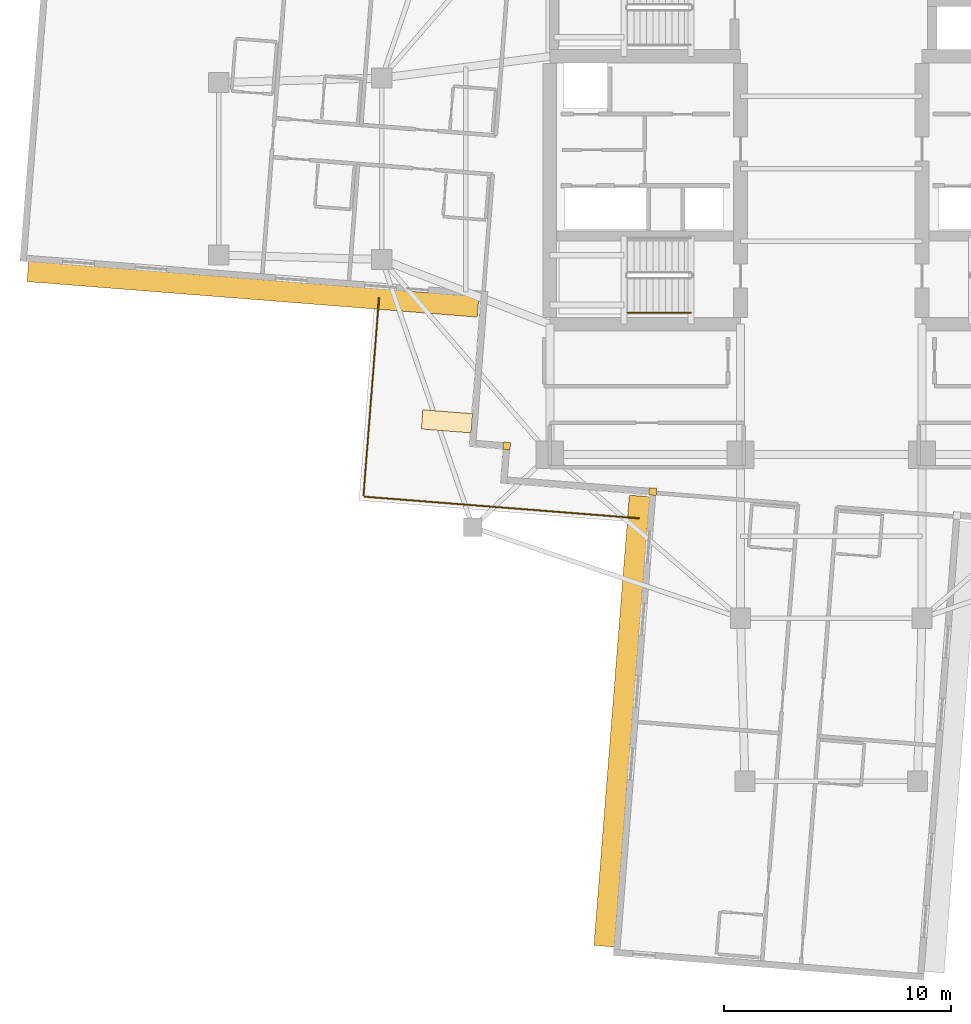
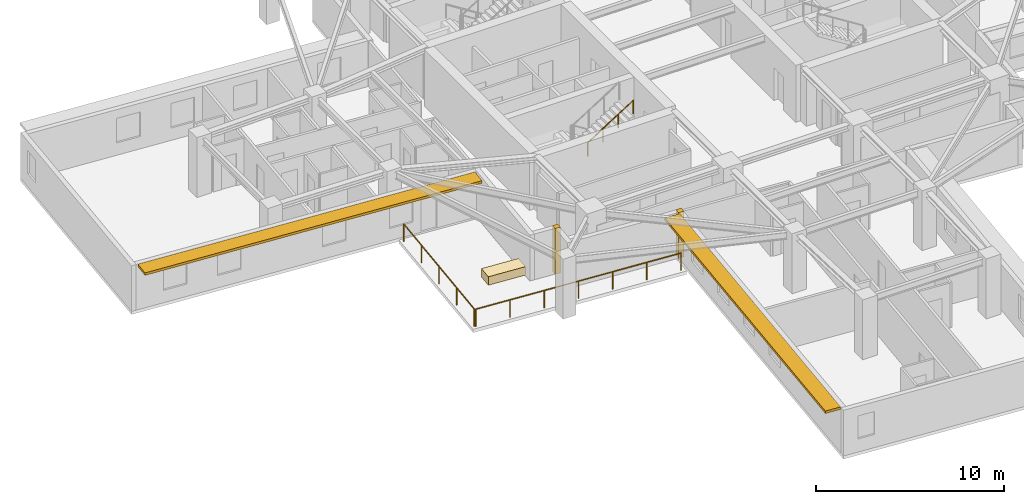
# One storey, part 10 of 14: 3 coverings, 3 railings, 2 shading devices.
"""IFC4 building model written with IfcOpenShell, lengths in metres."""

from ifc_helpers import new_model, si_unit, direction, frame, origin, origin_2d, place, context, subcontext, project, spatial, rectangle, circle, extrude, material, layer, layer_set, type_object, element, save


model = new_model("IFC4")

# Units and contexts
model_context = context("Model", 3, precision=1e-05, world=origin(), true_north=direction((0.0, 1.0)))
body_context = subcontext(model_context, "Body", "Model", "MODEL_VIEW")
ifc_project = project(units=[si_unit("LENGTHUNIT", "METRE"), si_unit("AREAUNIT", "SQUARE_METRE"), si_unit("VOLUMEUNIT", "CUBIC_METRE"), si_unit("PLANEANGLEUNIT", "RADIAN"), si_unit("MASSUNIT", "GRAM", prefix="KILO")], contexts=[model_context])

# Site, building, storey
site_placement = place(None, origin())
site = spatial("IfcSite", under=ifc_project, at=site_placement, CompositionType="ELEMENT")
building_placement = place(site_placement, origin())
building = spatial("IfcBuilding", under=site, at=building_placement, Name="Qingluan Cross Belvedere", CompositionType="ELEMENT")
storey_placement = place(building_placement, frame((0.0, 0.0, 164.39990234375)))
storey = spatial("IfcBuildingStorey", under=building, at=storey_placement, Name="L41", CompositionType="ELEMENT", Elevation=164.39990234375)

# Coverings
ifc_material_1 = material(Name="Precast concrete C45", Category="concrete")
ifc_layer_1 = layer(ifc_material_1, 0.1201171875, Name="ConcreteSpandrelCladding_120")
ifc_layer_set_1 = layer_set([ifc_layer_1], Name="Precast concrete C45")
covering_type_1 = type_object("IfcCoveringType", Name="ConcreteSpandrelCladding_120", PredefinedType="CLADDING", material=ifc_layer_set_1)
for number, where, z_axis, x_axis, name in (
    (1, (-14.302490234375, -12.215576171875, 0.0), (0.0, 0.0, 1.0), (0.996917333733, -0.078459095728, 0.0), "Corner closure L41-SW1"),
    (2, (-7.860595703125, -14.22705078125, 0.0), (0.0, 0.0, 1.0), (0.996917333733, -0.078459095728, 0.0), "Corner closure L41-SW2"),
):
    element("IfcCovering", number, at=place(storey_placement, frame(where, z_axis=z_axis, x_axis=x_axis)), inside=storey, type_object=covering_type_1, Name=name, PredefinedType="CLADDING", context=body_context, shape_type="SweptSolid", body=[
        extrude(rectangle(XDim=0.320068359375, YDim=0.320068359375, at=origin_2d()), origin(), (0.0, 0.0, 1.0), 2.969970703125),
    ])

# Shading devices
ifc_material_2 = material(Name="Precast concrete C45", Category="concrete")
ifc_layer_2 = layer(ifc_material_2, 0.159912109375, Name="ConcreteSunshadeBand_900")
ifc_layer_set_2 = layer_set([ifc_layer_2], Name="Precast concrete C45")
shading_device_type = type_object("IfcShadingDeviceType", Name="ConcreteSunshadeBand_900", PredefinedType="USERDEFINED", material=ifc_layer_set_2)
for number, where, z_axis, x_axis, name in (
    (3, (-25.48486328125, -5.306884765625, 2.7900390625), (0.0, 0.0, 1.0), (0.996917430244, -0.078457869429, 0.0), "Concrete SUNSHADE L41-WB"),
    (4, (-9.228271484375, -24.341064453125, 2.7900390625), (0.0, 0.0, 1.0), (-0.078457869429, -0.996917430244, 0.0), "Concrete SUNSHADE L41-SA"),
):
    element("IfcShadingDevice", number, at=place(storey_placement, frame(where, z_axis=z_axis, x_axis=x_axis)), inside=storey, type_object=shading_device_type, Name=name, ObjectType="SUNSHADE", PredefinedType="USERDEFINED", context=body_context, shape_type="SweptSolid", body=[
        extrude(rectangle(XDim=19.89990234375, YDim=0.89990234375, at=origin_2d()), origin(), (0.0, 0.0, 1.0), 0.159912109375),
    ])

# Railings
ifc_material_3 = material(Name="Brushed stainless steel tubular handrail", Category="steel")
railing_type_1 = type_object("IfcRailingType", Name="StairPitchHandrail_900", PredefinedType="HANDRAIL", material=ifc_material_3)
railing_1_placement = place(storey_placement, frame((-8.97998046875, -6.35009765625, 2.12744140625)))
element("IfcRailing", 5, at=railing_1_placement, inside=storey, type_object=railing_type_1, Name="L41 ST1 stair handrail 2", PredefinedType="HANDRAIL", context=body_context, shape_type="SweptSolid", body=[
    extrude(circle(Radius=0.02392578125, at=origin_2d()), frame((0.0, 0.0, 0.8759765625), z_axis=(0.844908973607, 0.0, 0.534910110503), x_axis=(0.0, 1.0, 0.0)), (0.0, 0.0, 1.0), 3.31396484375),
    extrude(circle(Radius=0.02099609375, at=origin_2d()), origin(), (0.0, 0.0, 1.0), 0.851806640625),
    extrude(circle(Radius=0.02099609375, at=origin_2d()), frame((0.933349609375, 0.0, 0.5908203125)), (0.0, 0.0, 1.0), 0.851806640625),
    extrude(circle(Radius=0.02099609375, at=origin_2d()), frame((1.86669921875, 0.0, 1.181884765625)), (0.0, 0.0, 1.0), 0.851806640625),
    extrude(circle(Radius=0.02099609375, at=origin_2d()), frame((2.800048828125, 0.0, 1.772705078125)), (0.0, 0.0, 1.0), 0.851806640625),
])
ifc_material_4 = material(Name="Laminated glass and stainless steel balustrade", Category="steel")
railing_type_2 = type_object("IfcRailingType", Name="TerraceGuardBalustrade_1150", PredefinedType="BALUSTRADE", material=ifc_material_4)
railing_2_placement = place(storey_placement, frame((-8.474609375, -15.402587890625, 0.0)))
element("IfcRailing", 6, at=railing_2_placement, inside=storey, type_object=railing_type_2, Name="Terrace guard L41-1", PredefinedType="BALUSTRADE", context=body_context, shape_type="SweptSolid", body=[
    extrude(circle(Radius=0.02392578125, at=origin_2d()), frame((0.0, 0.0, 1.1259765625), z_axis=(-0.996917250968, 0.078460147353, 0.0), x_axis=(-0.078460147353, -0.996917250968, 0.0)), (0.0, 0.0, 1.0), 12.119873046875),
    extrude(circle(Radius=0.02099609375, at=origin_2d()), origin(), (0.0, 0.0, 1.0), 1.101806640625),
    extrude(circle(Radius=0.02099609375, at=origin_2d()), frame((-2.013671875, 0.158447265625, 0.0)), (0.0, 0.0, 1.0), 1.101806640625),
    extrude(circle(Radius=0.02099609375, at=origin_2d()), frame((-4.027587890625, 0.31689453125, 0.0)), (0.0, 0.0, 1.0), 1.101806640625),
    extrude(circle(Radius=0.02099609375, at=origin_2d()), frame((-6.041259765625, 0.4755859375, 0.0)), (0.0, 0.0, 1.0), 1.101806640625),
    extrude(circle(Radius=0.02099609375, at=origin_2d()), frame((-8.054931640625, 0.634033203125, 0.0)), (0.0, 0.0, 1.0), 1.101806640625),
    extrude(circle(Radius=0.02099609375, at=origin_2d()), frame((-10.06884765625, 0.79248046875, 0.0)), (0.0, 0.0, 1.0), 1.101806640625),
    extrude(circle(Radius=0.02099609375, at=origin_2d()), frame((-12.08251953125, 0.950927734375, 0.0)), (0.0, 0.0, 1.0), 1.101806640625),
])
railing_3_placement = place(storey_placement, frame((-20.6123046875, -14.38720703125, 0.0)))
element("IfcRailing", 7, at=railing_3_placement, inside=storey, type_object=railing_type_2, Name="Terrace guard L41-2", PredefinedType="BALUSTRADE", context=body_context, shape_type="SweptSolid", body=[
    extrude(circle(Radius=0.02392578125, at=origin_2d()), frame((0.0, 0.0, 1.1259765625), z_axis=(0.078449866717, 0.996918060029, 0.0), x_axis=(-0.996918060029, 0.078449866717, 0.0)), (0.0, 0.0, 1.0), 8.719970703125),
    extrude(circle(Radius=0.02099609375, at=origin_2d()), origin(), (0.0, 0.0, 1.0), 1.101806640625),
    extrude(circle(Radius=0.02099609375, at=origin_2d()), frame((0.1708984375, 2.17333984375, 0.0)), (0.0, 0.0, 1.0), 1.101806640625),
    extrude(circle(Radius=0.02099609375, at=origin_2d()), frame((0.342041015625, 4.3466796875, 0.0)), (0.0, 0.0, 1.0), 1.101806640625),
    extrude(circle(Radius=0.02099609375, at=origin_2d()), frame((0.51318359375, 6.519775390625, 0.0)), (0.0, 0.0, 1.0), 1.101806640625),
    extrude(circle(Radius=0.02099609375, at=origin_2d()), frame((0.68408203125, 8.693115234375, 0.0)), (0.0, 0.0, 1.0), 1.101806640625),
])

# Covering
ifc_material_5 = material(Name="Precast concrete C40", Category="concrete")
ifc_layer_3 = layer(ifc_material_5, 0.550048828125, Name="TerracePlanterBox")
ifc_layer_set_3 = layer_set([ifc_layer_3], Name="Precast concrete C40")
covering_type_2 = type_object("IfcCoveringType", Name="TerracePlanterBox", PredefinedType="USERDEFINED", material=ifc_layer_set_3)
covering_placement = place(storey_placement, frame((-16.93505859375, -11.131103515625, 0.0), z_axis=(0.0, 0.0, 1.0), x_axis=(0.996917333733, -0.078459095728, 0.0)))
element("IfcCovering", 8, at=covering_placement, inside=storey, type_object=covering_type_2, Name="Spiralling winter-garden planter L41", ObjectType="PLANTER", PredefinedType="USERDEFINED", context=body_context, shape_type="SweptSolid", body=[
    extrude(rectangle(XDim=2.199951171875, YDim=0.85009765625, at=origin_2d()), origin(), (0.0, 0.0, 1.0), 0.550048828125),
])

save(model, "model.ifc")
